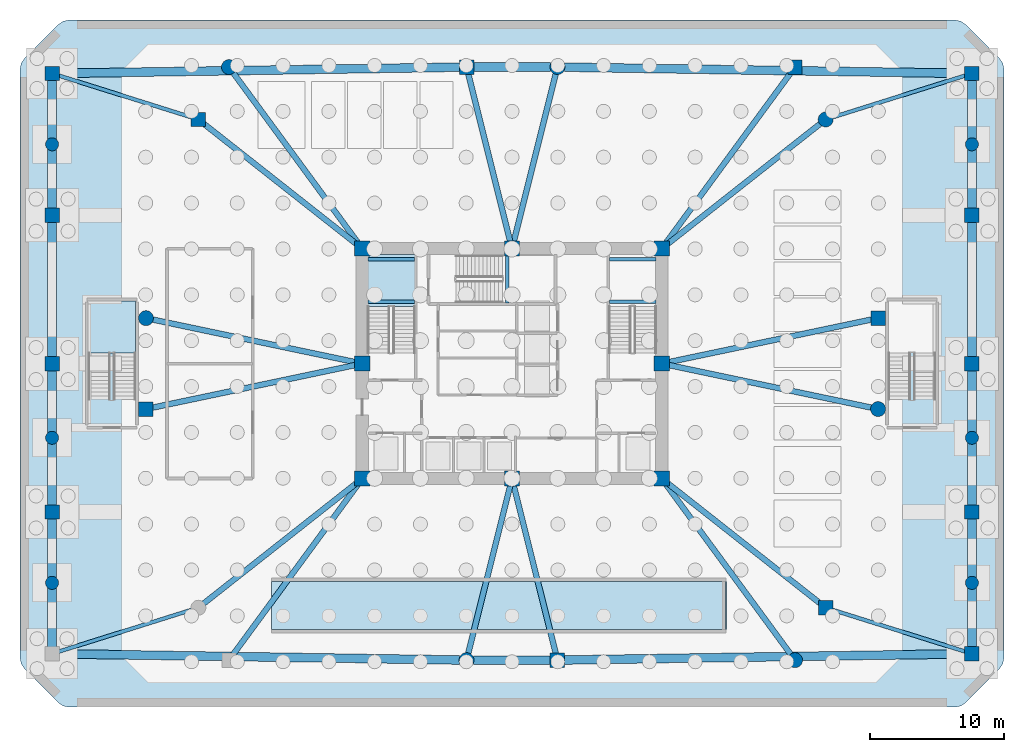
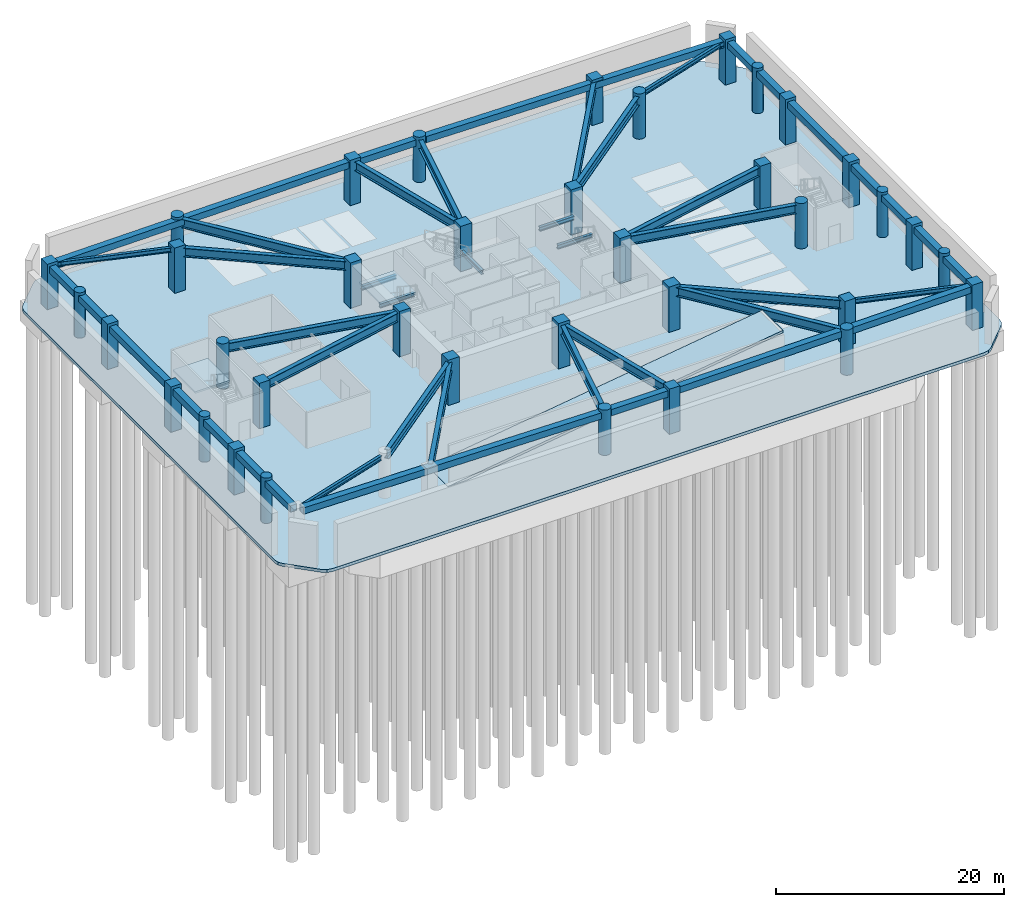
# One storey, part 3 of 11: 39 beams, 37 columns, 4 slabs, 2 elements without a shape of their own.
"""IFC4 building model written with IfcOpenShell, lengths in metres."""

from ifc_helpers import new_model, si_unit, derived_unit, direction, frame, origin, origin_2d, place, context, subcontext, project, spatial, polyline, rectangle, circle, i_section, outline, extrude, material, layer, layer_set, material_profile, profile_set, type_object, element, aggregate, save


model = new_model("IFC4")

# Units and contexts
model_context = context("Model", 3, precision=1e-05, world=origin(), true_north=direction((0.0, 1.0)))
body_context = subcontext(model_context, "Body", "Model", "MODEL_VIEW")
ifc_project = project(units=[si_unit("LENGTHUNIT", "METRE"), si_unit("AREAUNIT", "SQUARE_METRE"), si_unit("VOLUMEUNIT", "CUBIC_METRE"), si_unit("PLANEANGLEUNIT", "RADIAN"), si_unit("MASSUNIT", "GRAM", prefix="KILO"), derived_unit("THERMALTRANSMITTANCEUNIT", [(si_unit("POWERUNIT", "WATT"), 1), (si_unit("LENGTHUNIT", "METRE"), -2), (si_unit("THERMODYNAMICTEMPERATUREUNIT", "KELVIN"), -1)])], contexts=[model_context])

# Site, building, storey
site_placement = place(None, origin())
site = spatial("IfcSite", under=ifc_project, at=site_placement, CompositionType="ELEMENT")
building_placement = place(site_placement, origin())
building = spatial("IfcBuilding", under=site, at=building_placement, Name="Koralith Skygarden Medical Center", CompositionType="ELEMENT")
storey_placement = place(building_placement, frame((0.0, 0.0, -9.719970703125)))
storey = spatial("IfcBuildingStorey", under=building, at=storey_placement, Name="B2", CompositionType="ELEMENT", Elevation=-9.719970703125)

# Columns
ifc_material_1 = material(Name="Concrete C55/67", Category="concrete")
ifc_material_profile_1 = material_profile(ifc_material_1, circle(Radius=0.489990234375, at=origin_2d()), Name="RCCOL980")
ifc_profile_set_1 = profile_set([ifc_material_profile_1], Name="Concrete C55/67")
column_type_1 = type_object("IfcColumnType", Name="Concourse Entrance Pilaster C55 D980", PredefinedType="PILASTER", material=ifc_profile_set_1)
for number, where, z_axis, x_axis, name in (
    (1, (2.60009765625, 9.5, 0.0), (0.0, 0.0, 1.0), (1.0, 0.0, 0.0), "B2 Concourse Entrance Pilaster PL-01"),
    (2, (2.60009765625, 20.35009765625, 0.0), (0.0, 0.0, 1.0), (1.0, 0.0, 0.0), "B2 Concourse Entrance Pilaster PL-02"),
    (3, (2.60009765625, 42.300048828125, 0.0), (0.0, 0.0, 1.0), (1.0, 0.0, 0.0), "B2 Concourse Entrance Pilaster PL-03"),
    (4, (71.39990234375, 9.5, 0.0), (0.0, 0.0, 1.0), (1.0, 0.0, 0.0), "B2 Concourse Entrance Pilaster PL-04"),
    (5, (71.39990234375, 20.35009765625, 0.0), (0.0, 0.0, 1.0), (1.0, 0.0, 0.0), "B2 Concourse Entrance Pilaster PL-05"),
    (6, (71.39990234375, 42.300048828125, 0.0), (0.0, 0.0, 1.0), (1.0, 0.0, 0.0), "B2 Concourse Entrance Pilaster PL-06"),
):
    element("IfcColumn", number, at=place(storey_placement, frame(where, z_axis=z_axis, x_axis=x_axis)), inside=storey, type_object=column_type_1, Name=name, PredefinedType="PILASTER", context=body_context, shape_type="SweptSolid", body=[
        extrude(circle(Radius=0.489990234375, at=origin_2d()), origin(), (0.0, 0.0, 1.0), 4.85986328125),
    ])
ifc_material_2 = material(Name="Concrete C70/85", Category="concrete")
ifc_material_profile_2 = material_profile(ifc_material_2, rectangle(XDim=1.139892578125, YDim=1.139892578125, at=origin_2d()), Name="RC1140X1140")
ifc_profile_set_2 = profile_set([ifc_material_profile_2], Name="Concrete C70/85")
column_type_2 = type_object("IfcColumnType", Name="Core Mega-Column C70 RC1140", PredefinedType="COLUMN", material=ifc_profile_set_2)
for number, where, z_axis, x_axis, name in (
    (7, (25.800048828125, 17.300048828125, 0.0), (0.0, 0.0, 1.0), (1.0, 0.0, 0.0), "B2 Core Column CC-01"),
    (8, (37.0, 17.300048828125, 0.0), (0.0, 0.0, 1.0), (1.0, 0.0, 0.0), "B2 Core Column CC-02"),
    (9, (48.199951171875, 17.300048828125, 0.0), (0.0, 0.0, 1.0), (1.0, 0.0, 0.0), "B2 Core Column CC-03"),
    (10, (48.199951171875, 25.89990234375, 0.0), (0.0, 0.0, 1.0), (1.0, 0.0, 0.0), "B2 Core Column CC-04"),
    (11, (48.199951171875, 34.5, 0.0), (0.0, 0.0, 1.0), (1.0, 0.0, 0.0), "B2 Core Column CC-05"),
    (12, (37.0, 34.5, 0.0), (0.0, 0.0, 1.0), (1.0, 0.0, 0.0), "B2 Core Column CC-06"),
    (13, (25.800048828125, 34.5, 0.0), (0.0, 0.0, 1.0), (1.0, 0.0, 0.0), "B2 Core Column CC-07"),
    (14, (25.800048828125, 25.89990234375, 0.0), (0.0, 0.0, 1.0), (1.0, 0.0, 0.0), "B2 Core Column CC-08"),
):
    element("IfcColumn", number, at=place(storey_placement, frame(where, z_axis=z_axis, x_axis=x_axis)), inside=storey, type_object=column_type_2, Name=name, PredefinedType="COLUMN", context=body_context, shape_type="SweptSolid", body=[
        extrude(rectangle(XDim=1.139892578125, YDim=1.139892578125, at=origin_2d()), origin(), (0.0, 0.0, 1.0), 4.85986328125),
    ])
ifc_material_profile_3 = material_profile(ifc_material_2, rectangle(XDim=1.080078125, YDim=1.080078125, at=origin_2d()), Name="RC1080X1080")
ifc_profile_set_3 = profile_set([ifc_material_profile_3], Name="Concrete C70/85")
column_type_3 = type_object("IfcColumnType", Name="Podium Perimeter Column C70 RC1080", PredefinedType="COLUMN", material=ifc_profile_set_3)
for number, where, z_axis, x_axis, name in (
    (15, (2.60009765625, 14.800048828125, 0.0), (0.0, 0.0, 1.0), (1.0, 0.0, 0.0), "B2 Podium Perimeter Column PC-02"),
    (16, (2.60009765625, 25.89990234375, 0.0), (0.0, 0.0, 1.0), (1.0, 0.0, 0.0), "B2 Podium Perimeter Column PC-03"),
    (17, (2.60009765625, 37.0, 0.0), (0.0, 0.0, 1.0), (1.0, 0.0, 0.0), "B2 Podium Perimeter Column PC-04"),
    (18, (2.60009765625, 47.60009765625, 0.0), (0.0, 0.0, 1.0), (1.0, 0.0, 0.0), "B2 Podium Perimeter Column PC-05"),
    (19, (71.39990234375, 4.199951171875, 0.0), (0.0, 0.0, 1.0), (1.0, 0.0, 0.0), "B2 Podium Perimeter Column PC-06"),
    (20, (71.39990234375, 14.800048828125, 0.0), (0.0, 0.0, 1.0), (1.0, 0.0, 0.0), "B2 Podium Perimeter Column PC-07"),
    (21, (71.39990234375, 25.89990234375, 0.0), (0.0, 0.0, 1.0), (1.0, 0.0, 0.0), "B2 Podium Perimeter Column PC-08"),
    (22, (71.39990234375, 37.0, 0.0), (0.0, 0.0, 1.0), (1.0, 0.0, 0.0), "B2 Podium Perimeter Column PC-09"),
    (23, (71.39990234375, 47.60009765625, 0.0), (0.0, 0.0, 1.0), (1.0, 0.0, 0.0), "B2 Podium Perimeter Column PC-10"),
):
    element("IfcColumn", number, at=place(storey_placement, frame(where, z_axis=z_axis, x_axis=x_axis)), inside=storey, type_object=column_type_3, Name=name, PredefinedType="COLUMN", context=body_context, shape_type="SweptSolid", body=[
        extrude(rectangle(XDim=1.080078125, YDim=1.080078125, at=origin_2d()), origin(), (0.0, 0.0, 1.0), 4.85986328125),
    ])
ifc_material_profile_4 = material_profile(ifc_material_2, circle(Radius=0.56005859375, at=origin_2d()), Name="RCCOL1120")
ifc_profile_set_4 = profile_set([ifc_material_profile_4], Name="Concrete C70/85")
column_type_4 = type_object("IfcColumnType", Name="Station Round Mega-Column C70 D1120", PredefinedType="COLUMN", material=ifc_profile_set_4)
for number, where, z_axis, x_axis, name in (
    (24, (33.60009765625, 3.719970703125, 0.0), (0.0, 0.0, 1.0), (1.0, 0.0, 0.0), "B2 Tower Base Mega-Column TB-04"),
    (25, (58.16796875, 3.719970703125, 0.0), (0.0, 0.0, 1.0), (1.0, 0.0, 0.0), "B2 Tower Base Mega-Column TB-06"),
    (26, (64.3798828125, 22.5, 0.0), (0.0, 0.0, 1.0), (1.0, 0.0, 0.0), "B2 Tower Base Mega-Column TB-08"),
    (27, (60.4599609375, 44.159912109375, 0.0), (0.0, 0.0, 1.0), (1.0, 0.0, 0.0), "B2 Tower Base Mega-Column TB-10"),
    (28, (40.39990234375, 48.080078125, 0.0), (0.0, 0.0, 1.0), (1.0, 0.0, 0.0), "B2 Tower Base Mega-Column TB-12"),
    (29, (15.83203125, 48.080078125, 0.0), (0.0, 0.0, 1.0), (1.0, 0.0, 0.0), "B2 Tower Base Mega-Column TB-14"),
    (30, (9.6201171875, 29.300048828125, 0.0), (0.0, 0.0, 1.0), (1.0, 0.0, 0.0), "B2 Tower Base Mega-Column TB-16"),
):
    element("IfcColumn", number, at=place(storey_placement, frame(where, z_axis=z_axis, x_axis=x_axis)), inside=storey, type_object=column_type_4, Name=name, PredefinedType="COLUMN", context=body_context, shape_type="SweptSolid", body=[
        extrude(circle(Radius=0.56005859375, at=origin_2d()), origin(), (0.0, 0.0, 1.0), 4.85986328125),
    ])
ifc_material_profile_5 = material_profile(ifc_material_2, rectangle(XDim=1.080078125, YDim=1.080078125, at=origin_2d()), Name="RC1080X1080")
ifc_profile_set_5 = profile_set([ifc_material_profile_5], Name="Concrete C70/85")
column_type_5 = type_object("IfcColumnType", Name="Zone 1 Octagonal Mega-Column C70 RC1080", PredefinedType="COLUMN", material=ifc_profile_set_5)
for number, where, z_axis, x_axis, name in (
    (31, (9.6201171875, 22.5, 0.0), (0.0, 0.0, 1.0), (1.0, 0.0, 0.0), "B2 Tower Base Mega-Column TB-01"),
    (32, (40.39990234375, 3.719970703125, 0.0), (0.0, 0.0, 1.0), (1.0, 0.0, 0.0), "B2 Tower Base Mega-Column TB-05"),
    (33, (60.4599609375, 7.639892578125, 0.0), (0.0, 0.0, 1.0), (1.0, 0.0, 0.0), "B2 Tower Base Mega-Column TB-07"),
    (34, (64.3798828125, 29.300048828125, 0.0), (0.0, 0.0, 1.0), (1.0, 0.0, 0.0), "B2 Tower Base Mega-Column TB-09"),
    (35, (58.16796875, 48.080078125, 0.0), (0.0, 0.0, 1.0), (1.0, 0.0, 0.0), "B2 Tower Base Mega-Column TB-11"),
    (36, (33.60009765625, 48.080078125, 0.0), (0.0, 0.0, 1.0), (1.0, 0.0, 0.0), "B2 Tower Base Mega-Column TB-13"),
    (37, (13.5400390625, 44.159912109375, 0.0), (0.0, 0.0, 1.0), (1.0, 0.0, 0.0), "B2 Tower Base Mega-Column TB-15"),
):
    element("IfcColumn", number, at=place(storey_placement, frame(where, z_axis=z_axis, x_axis=x_axis)), inside=storey, type_object=column_type_5, Name=name, PredefinedType="COLUMN", context=body_context, shape_type="SweptSolid", body=[
        extrude(rectangle(XDim=1.080078125, YDim=1.080078125, at=origin_2d()), origin(), (0.0, 0.0, 1.0), 4.85986328125),
    ])

# Beams
ifc_material_profile_6 = material_profile(ifc_material_1, rectangle(XDim=0.64990234375, YDim=0.679931640625, at=origin_2d()), Name="RCB650X680")
ifc_profile_set_6 = profile_set([ifc_material_profile_6], Name="Concrete C55/67")
beam_type_1 = type_object("IfcBeamType", Name="Basement Spandrel Beam RCB650X680", PredefinedType="SPANDREL", material=ifc_profile_set_6)
beam_1_placement = place(storey_placement, frame((2.60009765625, 14.280029296875, 4.219970703125), z_axis=(0.0, -1.0, 0.0), x_axis=(1.0, 0.0, 0.0)))
element("IfcBeam", 38, at=beam_1_placement, inside=storey, type_object=beam_type_1, Name="B2 Podium Perimeter Beam PB-01", PredefinedType="SPANDREL", context=body_context, shape_type="SweptSolid", body=[
    extrude(rectangle(XDim=0.64990234375, YDim=0.679931640625, at=origin_2d()), origin(), (0.0, 0.0, 1.0), 9.56005859375),
])
beam_2_placement = place(storey_placement, frame((3.1201171875, 4.19189453125, 4.219970703125), z_axis=(0.999880161393, -0.015481048165, 0.0), x_axis=(0.015481048165, 0.999880161393, 0.0)))
element("IfcBeam", 39, at=beam_2_placement, inside=storey, type_object=beam_type_1, Name="B2 Podium Perimeter Beam PB-02", PredefinedType="SPANDREL", context=body_context, shape_type="SweptSolid", body=[
    extrude(rectangle(XDim=0.64990234375, YDim=0.679931640625, at=origin_2d()), origin(), (0.0, 0.0, 1.0), 29.963623046875),
])
beam_3_placement = place(storey_placement, frame((34.1201171875, 3.719970703125, 4.219970703125), z_axis=(1.0, 0.0, 0.0), x_axis=(0.0, 1.0, 0.0)))
element("IfcBeam", 40, at=beam_3_placement, inside=storey, type_object=beam_type_1, Name="B2 Podium Perimeter Beam PB-03", PredefinedType="SPANDREL", context=body_context, shape_type="SweptSolid", body=[
    extrude(rectangle(XDim=0.64990234375, YDim=0.679931640625, at=origin_2d()), origin(), (0.0, 0.0, 1.0), 5.759765625),
])
beam_4_placement = place(storey_placement, frame((40.919921875, 3.72802734375, 4.219970703125), z_axis=(0.999880161393, 0.015481048165, 0.0), x_axis=(-0.015481048165, 0.999880161393, 0.0)))
element("IfcBeam", 41, at=beam_4_placement, inside=storey, type_object=beam_type_1, Name="B2 Podium Perimeter Beam PB-04", PredefinedType="SPANDREL", context=body_context, shape_type="SweptSolid", body=[
    extrude(rectangle(XDim=0.64990234375, YDim=0.679931640625, at=origin_2d()), origin(), (0.0, 0.0, 1.0), 29.963623046875),
])
beam_5_placement = place(storey_placement, frame((71.39990234375, 4.719970703125, 4.219970703125), z_axis=(0.0, 1.0, 0.0), x_axis=(-1.0, 0.0, 0.0)))
element("IfcBeam", 42, at=beam_5_placement, inside=storey, type_object=beam_type_1, Name="B2 Podium Perimeter Beam PB-05", PredefinedType="SPANDREL", context=body_context, shape_type="SweptSolid", body=[
    extrude(rectangle(XDim=0.64990234375, YDim=0.679931640625, at=origin_2d()), origin(), (0.0, 0.0, 1.0), 9.56005859375),
])
beam_6_placement = place(storey_placement, frame((71.39990234375, 15.320068359375, 4.219970703125), z_axis=(0.0, 1.0, 0.0), x_axis=(-1.0, 0.0, 0.0)))
element("IfcBeam", 43, at=beam_6_placement, inside=storey, type_object=beam_type_1, Name="B2 Podium Perimeter Beam PB-06", PredefinedType="SPANDREL", context=body_context, shape_type="SweptSolid", body=[
    extrude(rectangle(XDim=0.64990234375, YDim=0.679931640625, at=origin_2d()), origin(), (0.0, 0.0, 1.0), 10.059814453125),
])
beam_7_placement = place(storey_placement, frame((71.39990234375, 26.419921875, 4.219970703125), z_axis=(0.0, 1.0, 0.0), x_axis=(-1.0, 0.0, 0.0)))
element("IfcBeam", 44, at=beam_7_placement, inside=storey, type_object=beam_type_1, Name="B2 Podium Perimeter Beam PB-07", PredefinedType="SPANDREL", context=body_context, shape_type="SweptSolid", body=[
    extrude(rectangle(XDim=0.64990234375, YDim=0.679931640625, at=origin_2d()), origin(), (0.0, 0.0, 1.0), 10.06005859375),
])
beam_8_placement = place(storey_placement, frame((71.39990234375, 37.52001953125, 4.219970703125), z_axis=(0.0, 1.0, 0.0), x_axis=(-1.0, 0.0, 0.0)))
element("IfcBeam", 45, at=beam_8_placement, inside=storey, type_object=beam_type_1, Name="B2 Podium Perimeter Beam PB-08", PredefinedType="SPANDREL", context=body_context, shape_type="SweptSolid", body=[
    extrude(rectangle(XDim=0.64990234375, YDim=0.679931640625, at=origin_2d()), origin(), (0.0, 0.0, 1.0), 9.56005859375),
])
beam_9_placement = place(storey_placement, frame((70.8798828125, 47.60791015625, 4.219970703125), z_axis=(-0.999880035237, 0.015489194131, 0.0), x_axis=(-0.015489194131, -0.999880035237, 0.0)))
element("IfcBeam", 46, at=beam_9_placement, inside=storey, type_object=beam_type_1, Name="B2 Podium Perimeter Beam PB-09", PredefinedType="SPANDREL", context=body_context, shape_type="SweptSolid", body=[
    extrude(rectangle(XDim=0.64990234375, YDim=0.679931640625, at=origin_2d()), origin(), (0.0, 0.0, 1.0), 29.963623046875),
])
beam_10_placement = place(storey_placement, frame((39.8798828125, 48.080078125, 4.219970703125), z_axis=(-1.0, 0.0, 0.0), x_axis=(0.0, -1.0, 0.0)))
element("IfcBeam", 47, at=beam_10_placement, inside=storey, type_object=beam_type_1, Name="B2 Podium Perimeter Beam PB-10", PredefinedType="SPANDREL", context=body_context, shape_type="SweptSolid", body=[
    extrude(rectangle(XDim=0.64990234375, YDim=0.679931640625, at=origin_2d()), origin(), (0.0, 0.0, 1.0), 5.759765625),
])
beam_11_placement = place(storey_placement, frame((33.080078125, 48.072021484375, 4.219970703125), z_axis=(-0.999880035237, -0.015489194131, 0.0), x_axis=(0.015489194131, -0.999880035237, 0.0)))
element("IfcBeam", 48, at=beam_11_placement, inside=storey, type_object=beam_type_1, Name="B2 Podium Perimeter Beam PB-11", PredefinedType="SPANDREL", context=body_context, shape_type="SweptSolid", body=[
    extrude(rectangle(XDim=0.64990234375, YDim=0.679931640625, at=origin_2d()), origin(), (0.0, 0.0, 1.0), 29.963623046875),
])
beam_12_placement = place(storey_placement, frame((2.60009765625, 47.080078125, 4.219970703125), z_axis=(0.0, -1.0, 0.0), x_axis=(1.0, 0.0, 0.0)))
element("IfcBeam", 49, at=beam_12_placement, inside=storey, type_object=beam_type_1, Name="B2 Podium Perimeter Beam PB-12", PredefinedType="SPANDREL", context=body_context, shape_type="SweptSolid", body=[
    extrude(rectangle(XDim=0.64990234375, YDim=0.679931640625, at=origin_2d()), origin(), (0.0, 0.0, 1.0), 9.56005859375),
])
beam_13_placement = place(storey_placement, frame((2.60009765625, 36.47998046875, 4.219970703125), z_axis=(0.0, -1.0, 0.0), x_axis=(1.0, 0.0, 0.0)))
element("IfcBeam", 50, at=beam_13_placement, inside=storey, type_object=beam_type_1, Name="B2 Podium Perimeter Beam PB-13", PredefinedType="SPANDREL", context=body_context, shape_type="SweptSolid", body=[
    extrude(rectangle(XDim=0.64990234375, YDim=0.679931640625, at=origin_2d()), origin(), (0.0, 0.0, 1.0), 10.06005859375),
])
beam_14_placement = place(storey_placement, frame((2.60009765625, 25.3798828125, 4.219970703125), z_axis=(0.0, -1.0, 0.0), x_axis=(1.0, 0.0, 0.0)))
element("IfcBeam", 51, at=beam_14_placement, inside=storey, type_object=beam_type_1, Name="B2 Podium Perimeter Beam PB-14", PredefinedType="SPANDREL", context=body_context, shape_type="SweptSolid", body=[
    extrude(rectangle(XDim=0.64990234375, YDim=0.679931640625, at=origin_2d()), origin(), (0.0, 0.0, 1.0), 10.059814453125),
])
ifc_material_3 = material(Name="Steel ASTM A992 Grade 50", Category="steel")
ifc_material_profile_7 = material_profile(ifc_material_3, i_section(OverallWidth=0.260009765625, OverallDepth=0.4150390625, WebThickness=0.010009765625, FlangeThickness=0.016845703125, at=origin_2d()), Name="W16X67")
ifc_profile_set_7 = profile_set([ifc_material_profile_7], Name="Steel ASTM A992 Grade 50")
beam_type_2 = type_object("IfcBeamType", Name="Clinical Floor Joist W16X67", PredefinedType="JOIST", material=ifc_profile_set_7)
for number, where, z_axis, x_axis, name in (
    (52, (26.22998046875, 30.530029296875, 2.02294921875), (1.0, 0.0, 0.0), (0.0, 1.0, 0.0), "B2 Stair ST1 Half-Landing Support Beam 1A"),
    (53, (26.22998046875, 33.699951171875, 2.02294921875), (1.0, 0.0, 0.0), (0.0, 1.0, 0.0), "B2 Stair ST1 Half-Landing Support Beam 1B"),
    (54, (44.280029296875, 30.530029296875, 2.02294921875), (1.0, 0.0, 0.0), (0.0, 1.0, 0.0), "B2 Stair ST2 Half-Landing Support Beam 1A"),
    (55, (44.280029296875, 33.699951171875, 2.02294921875), (1.0, 0.0, 0.0), (0.0, 1.0, 0.0), "B2 Stair ST2 Half-Landing Support Beam 1B"),
):
    element("IfcBeam", number, at=place(storey_placement, frame(where, z_axis=z_axis, x_axis=x_axis)), inside=storey, type_object=beam_type_2, Name=name, PredefinedType="JOIST", context=body_context, shape_type="SweptSolid", body=[
        extrude(i_section(OverallWidth=0.260009765625, OverallDepth=0.4150390625, WebThickness=0.010009765625, FlangeThickness=0.016845703125, at=origin_2d()), origin(), (0.0, 0.0, 1.0), 3.489990234375),
    ])
beam_15_placement = place(storey_placement, frame((36.6298828125, 30.43994140625, 2.02294921875), z_axis=(0.0, 1.0, 0.0), x_axis=(-1.0, 0.0, 0.0)))
element("IfcBeam", 56, at=beam_15_placement, inside=storey, type_object=beam_type_2, Name="B2 Stair ST3 Half-Landing Support Beam 1A", PredefinedType="JOIST", context=body_context, shape_type="SweptSolid", body=[
    extrude(i_section(OverallWidth=0.260009765625, OverallDepth=0.4150390625, WebThickness=0.010009765625, FlangeThickness=0.016845703125, at=origin_2d()), origin(), (0.0, 0.0, 1.0), 3.630126953125),
])
ifc_material_profile_8 = material_profile(ifc_material_3, i_section(OverallWidth=0.423095703125, OverallDepth=0.947998046875, WebThickness=0.02392578125, FlangeThickness=0.042724609375, at=origin_2d()), Name="W36X302")
ifc_profile_set_8 = profile_set([ifc_material_profile_8], Name="Steel ASTM A992 Grade 50")
beam_type_3 = type_object("IfcBeamType", Name="Podium Concourse Girder W36X302", PredefinedType="BEAM", material=ifc_profile_set_8)
beam_16_placement = place(storey_placement, frame((25.251953125, 25.784912109375, 4.0859375), z_axis=(-0.978625652149, -0.205649782288, 0.0), x_axis=(0.205649782288, -0.978625652149, 0.0)))
element("IfcBeam", 57, at=beam_16_placement, inside=storey, type_object=beam_type_3, Name="B2 Podium Radial Girder PRG-01", PredefinedType="BEAM", context=body_context, shape_type="SweptSolid", body=[
    extrude(i_section(OverallWidth=0.423095703125, OverallDepth=0.947998046875, WebThickness=0.02392578125, FlangeThickness=0.042724609375, at=origin_2d()), origin(), (0.0, 0.0, 1.0), 15.453369140625),
])
beam_17_placement = place(storey_placement, frame((25.360107421875, 16.952880859375, 4.0859375), z_axis=(-0.785504791859, -0.618855574401, 0.0), x_axis=(0.618855574401, -0.785504791859, 0.0)))
element("IfcBeam", 58, at=beam_17_placement, inside=storey, type_object=beam_type_3, Name="B2 Podium Radial Girder PRG-02", PredefinedType="BEAM", context=body_context, shape_type="SweptSolid", body=[
    extrude(i_section(OverallWidth=0.423095703125, OverallDepth=0.947998046875, WebThickness=0.02392578125, FlangeThickness=0.042724609375, at=origin_2d()), origin(), (0.0, 0.0, 1.0), 14.5283203125),
])
beam_18_placement = place(storey_placement, frame((25.468994140625, 16.84912109375, 4.0859375), z_axis=(-0.59170530555, -0.806154347122, 0.0), x_axis=(0.806154347122, -0.59170530555, 0.0)))
element("IfcBeam", 59, at=beam_18_placement, inside=storey, type_object=beam_type_3, Name="B2 Podium Radial Girder PRG-03", PredefinedType="BEAM", context=body_context, shape_type="SweptSolid", body=[
    extrude(i_section(OverallWidth=0.423095703125, OverallDepth=0.947998046875, WebThickness=0.02392578125, FlangeThickness=0.042724609375, at=origin_2d()), origin(), (0.0, 0.0, 1.0), 15.766357421875),
])
for number, where, z_axis, x_axis, name in (
    (60, (36.864013671875, 16.757080078125, 4.0859375), (-0.242877971824, -0.970056849263, 0.0), (0.970056849263, -0.242877971824, 0.0), "B2 Podium Radial Girder PRG-04"),
    (61, (37.135986328125, 16.757080078125, 4.0859375), (0.242877971824, -0.970056849263, 0.0), (0.970056849263, 0.242877971824, 0.0), "B2 Podium Radial Girder PRG-05"),
):
    element("IfcBeam", number, at=place(storey_placement, frame(where, z_axis=z_axis, x_axis=x_axis)), inside=storey, type_object=beam_type_3, Name=name, PredefinedType="BEAM", context=body_context, shape_type="SweptSolid", body=[
        extrude(i_section(OverallWidth=0.423095703125, OverallDepth=0.947998046875, WebThickness=0.02392578125, FlangeThickness=0.042724609375, at=origin_2d()), origin(), (0.0, 0.0, 1.0), 12.919921875),
    ])
beam_19_placement = place(storey_placement, frame((48.531005859375, 16.84912109375, 4.0859375), z_axis=(0.59170530555, -0.806154347122, 0.0), x_axis=(0.806154347122, 0.59170530555, 0.0)))
element("IfcBeam", 62, at=beam_19_placement, inside=storey, type_object=beam_type_3, Name="B2 Podium Radial Girder PRG-06", PredefinedType="BEAM", context=body_context, shape_type="SweptSolid", body=[
    extrude(i_section(OverallWidth=0.423095703125, OverallDepth=0.947998046875, WebThickness=0.02392578125, FlangeThickness=0.042724609375, at=origin_2d()), origin(), (0.0, 0.0, 1.0), 15.766357421875),
])
beam_20_placement = place(storey_placement, frame((48.639892578125, 16.952880859375, 4.0859375), z_axis=(0.785504791859, -0.618855574401, 0.0), x_axis=(0.618855574401, 0.785504791859, 0.0)))
element("IfcBeam", 63, at=beam_20_placement, inside=storey, type_object=beam_type_3, Name="B2 Podium Radial Girder PRG-07", PredefinedType="BEAM", context=body_context, shape_type="SweptSolid", body=[
    extrude(i_section(OverallWidth=0.423095703125, OverallDepth=0.947998046875, WebThickness=0.02392578125, FlangeThickness=0.042724609375, at=origin_2d()), origin(), (0.0, 0.0, 1.0), 14.5283203125),
])
for number, where, z_axis, x_axis, name in (
    (64, (48.748046875, 25.784912109375, 4.0859375), (0.978625652149, -0.205649782288, 0.0), (0.205649782288, 0.978625652149, 0.0), "B2 Podium Radial Girder PRG-08"),
    (65, (48.748046875, 26.014892578125, 4.0859375), (0.978622472518, 0.205664912619, 0.0), (-0.205664912619, 0.978622472518, 0.0), "B2 Podium Radial Girder PRG-09"),
):
    element("IfcBeam", number, at=place(storey_placement, frame(where, z_axis=z_axis, x_axis=x_axis)), inside=storey, type_object=beam_type_3, Name=name, PredefinedType="BEAM", context=body_context, shape_type="SweptSolid", body=[
        extrude(i_section(OverallWidth=0.423095703125, OverallDepth=0.947998046875, WebThickness=0.02392578125, FlangeThickness=0.042724609375, at=origin_2d()), origin(), (0.0, 0.0, 1.0), 15.453369140625),
    ])
beam_21_placement = place(storey_placement, frame((48.639892578125, 34.846923828125, 4.0859375), z_axis=(0.785504791859, 0.618855574401, 0.0), x_axis=(-0.618855574401, 0.785504791859, 0.0)))
element("IfcBeam", 66, at=beam_21_placement, inside=storey, type_object=beam_type_3, Name="B2 Podium Radial Girder PRG-10", PredefinedType="BEAM", context=body_context, shape_type="SweptSolid", body=[
    extrude(i_section(OverallWidth=0.423095703125, OverallDepth=0.947998046875, WebThickness=0.02392578125, FlangeThickness=0.042724609375, at=origin_2d()), origin(), (0.0, 0.0, 1.0), 14.5283203125),
])
beam_22_placement = place(storey_placement, frame((48.531005859375, 34.950927734375, 4.0859375), z_axis=(0.591712691958, 0.806148925556, 0.0), x_axis=(-0.806148925556, 0.591712691958, 0.0)))
element("IfcBeam", 67, at=beam_22_placement, inside=storey, type_object=beam_type_3, Name="B2 Podium Radial Girder PRG-11", PredefinedType="BEAM", context=body_context, shape_type="SweptSolid", body=[
    extrude(i_section(OverallWidth=0.423095703125, OverallDepth=0.947998046875, WebThickness=0.02392578125, FlangeThickness=0.042724609375, at=origin_2d()), origin(), (0.0, 0.0, 1.0), 15.766357421875),
])
for number, where, z_axis, x_axis, name in (
    (68, (37.135986328125, 35.04296875, 4.0859375), (0.242877971824, 0.970056849263, 0.0), (-0.970056849263, 0.242877971824, 0.0), "B2 Podium Radial Girder PRG-12"),
    (69, (36.864013671875, 35.04296875, 4.0859375), (-0.242877971824, 0.970056849263, 0.0), (-0.970056849263, -0.242877971824, 0.0), "B2 Podium Radial Girder PRG-13"),
):
    element("IfcBeam", number, at=place(storey_placement, frame(where, z_axis=z_axis, x_axis=x_axis)), inside=storey, type_object=beam_type_3, Name=name, PredefinedType="BEAM", context=body_context, shape_type="SweptSolid", body=[
        extrude(i_section(OverallWidth=0.423095703125, OverallDepth=0.947998046875, WebThickness=0.02392578125, FlangeThickness=0.042724609375, at=origin_2d()), origin(), (0.0, 0.0, 1.0), 12.919921875),
    ])
beam_23_placement = place(storey_placement, frame((25.468994140625, 34.950927734375, 4.0859375), z_axis=(-0.591712691958, 0.806148925556, 0.0), x_axis=(-0.806148925556, -0.591712691958, 0.0)))
element("IfcBeam", 70, at=beam_23_placement, inside=storey, type_object=beam_type_3, Name="B2 Podium Radial Girder PRG-14", PredefinedType="BEAM", context=body_context, shape_type="SweptSolid", body=[
    extrude(i_section(OverallWidth=0.423095703125, OverallDepth=0.947998046875, WebThickness=0.02392578125, FlangeThickness=0.042724609375, at=origin_2d()), origin(), (0.0, 0.0, 1.0), 15.766357421875),
])
beam_24_placement = place(storey_placement, frame((25.360107421875, 34.846923828125, 4.0859375), z_axis=(-0.785504791859, 0.618855574401, 0.0), x_axis=(-0.618855574401, -0.785504791859, 0.0)))
element("IfcBeam", 71, at=beam_24_placement, inside=storey, type_object=beam_type_3, Name="B2 Podium Radial Girder PRG-15", PredefinedType="BEAM", context=body_context, shape_type="SweptSolid", body=[
    extrude(i_section(OverallWidth=0.423095703125, OverallDepth=0.947998046875, WebThickness=0.02392578125, FlangeThickness=0.042724609375, at=origin_2d()), origin(), (0.0, 0.0, 1.0), 14.5283203125),
])
beam_25_placement = place(storey_placement, frame((25.251953125, 26.014892578125, 4.0859375), z_axis=(-0.978622472518, 0.205664912619, 0.0), x_axis=(-0.205664912619, -0.978622472518, 0.0)))
element("IfcBeam", 72, at=beam_25_placement, inside=storey, type_object=beam_type_3, Name="B2 Podium Radial Girder PRG-16", PredefinedType="BEAM", context=body_context, shape_type="SweptSolid", body=[
    extrude(i_section(OverallWidth=0.423095703125, OverallDepth=0.947998046875, WebThickness=0.02392578125, FlangeThickness=0.042724609375, at=origin_2d()), origin(), (0.0, 0.0, 1.0), 15.453369140625),
])
ifc_material_profile_9 = material_profile(ifc_material_3, i_section(OverallWidth=0.281982421875, OverallDepth=0.467041015625, WebThickness=0.01220703125, FlangeThickness=0.01953125, at=origin_2d()), Name="W18X86")
ifc_profile_set_9 = profile_set([ifc_material_profile_9], Name="Steel ASTM A992 Grade 50")
beam_type_4 = type_object("IfcBeamType", Name="Podium Floor Joist W18X86", PredefinedType="JOIST", material=ifc_profile_set_9)
for number, where, z_axis, x_axis, name in (
    (73, (13.0439453125, 7.48388671875, 4.325927734375), (-0.953954869198, -0.299950175084, 0.0), (0.299950175084, -0.953954869198, 0.0), "B2 Podium Floor Joist PJ-01"),
    (74, (13.0439453125, 44.31591796875, 4.325927734375), (-0.95394817002, 0.29997148017, 0.0), (-0.29997148017, -0.95394817002, 0.0), "B2 Podium Floor Joist PJ-02"),
    (75, (60.9560546875, 7.48388671875, 4.325927734375), (0.953954869198, -0.299950175084, 0.0), (0.299950175084, 0.953954869198, 0.0), "B2 Podium Floor Joist PJ-03"),
    (76, (60.9560546875, 44.31591796875, 4.325927734375), (0.95394817002, 0.29997148017, 0.0), (-0.29997148017, 0.95394817002, 0.0), "B2 Podium Floor Joist PJ-04"),
):
    element("IfcBeam", number, at=place(storey_placement, frame(where, z_axis=z_axis, x_axis=x_axis)), inside=storey, type_object=beam_type_4, Name=name, PredefinedType="JOIST", context=body_context, shape_type="SweptSolid", body=[
        extrude(i_section(OverallWidth=0.281982421875, OverallDepth=0.467041015625, WebThickness=0.01220703125, FlangeThickness=0.01953125, at=origin_2d()), origin(), (0.0, 0.0, 1.0), 10.42822265625),
    ])

# Slabs
ifc_material_4 = material(Name="Concrete C45/55", Category="concrete")
ifc_layer_1 = layer(ifc_material_4, 0.320068359375)
ifc_layer_set_1 = layer_set([ifc_layer_1], Name="Concrete C45/55")
slab_type_1 = type_object("IfcSlabType", Name="Basement Base Slab 320", PredefinedType="BASESLAB", material=ifc_layer_set_1)
slab_1_placement = place(storey_placement, frame((0.0, 0.0, -0.320068359375)))
element("IfcSlab", 77, at=slab_1_placement, inside=storey, type_object=slab_type_1, Name="Level B2 Structural Floor Slab", PredefinedType="BASESLAB", context=body_context, shape_type="SweptSolid", body=[
    extrude(outline(polyline([(3.049072265625, 0.551025390625), (3.43798828125, 0.291015625), (3.89697265625, 0.199951171875), (70.10302734375, 0.199951171875), (70.56201171875, 0.291015625), (70.950927734375, 0.551025390625), (73.448974609375, 3.049072265625), (73.708984375, 3.43798828125), (73.800048828125, 3.89697265625), (73.800048828125, 47.903076171875), (73.708984375, 48.362060546875), (73.448974609375, 48.7509765625), (70.950927734375, 51.2490234375), (70.56201171875, 51.509033203125), (70.10302734375, 51.60009765625), (3.89697265625, 51.60009765625), (3.43798828125, 51.509033203125), (3.049072265625, 51.2490234375), (0.551025390625, 48.7509765625), (0.291015625, 48.362060546875), (0.199951171875, 47.903076171875), (0.199951171875, 3.89697265625), (0.291015625, 3.43798828125), (0.551025390625, 3.049072265625), (3.049072265625, 0.551025390625)])), origin(), (0.0, 0.0, 1.0), 0.320068359375),
])
ifc_layer_2 = layer(ifc_material_4, 0.260009765625)
ifc_layer_set_2 = layer_set([ifc_layer_2], Name="Concrete C45/55")
slab_type_2 = type_object("IfcSlabType", Name="Car Park Structural Vehicle Ramp Slab 260", PredefinedType="FLOOR", material=ifc_layer_set_2)
slab_2_placement = place(storey_placement, frame((19.0, 6.0, 0.0), z_axis=(-0.141498979075, 0.0, 0.989938401579), x_axis=(0.989938401579, 0.0, 0.141498979075)))
element("IfcSlab", 78, at=slab_2_placement, inside=storey, type_object=slab_type_2, Name="Car Park Vehicle Ramp R1 Structural Slab", PredefinedType="FLOOR", context=body_context, shape_type="SweptSolid", body=[
    extrude(outline(polyline([(0.0, 0.0), (34.34557134642605, 0.0), (34.34557134642605, 3.600097656250001), (0.0, 3.600097656250001), (0.0, 0.0)])), origin(), (0.0, 0.0, -1.0), 0.260009765625),
])

# Stair, slab
stair_type = type_object("IfcStairType", Name="Core Exit Dogleg Concrete Stair", PredefinedType="HALF_TURN_STAIR", material=ifc_material_4)
stair_1_placement = place(storey_placement, origin())
stair_1 = element("IfcStair", 79, at=stair_1_placement, inside=storey, type_object=stair_type, Name="B2 Smokeproof Exit Stair ST1", PredefinedType="HALF_TURN_STAIR")
ifc_layer_3 = layer(ifc_material_4, 0.199951171875)
ifc_layer_set_3 = layer_set([ifc_layer_3], Name="Concrete C45/55")
slab_type_3 = type_object("IfcSlabType", Name="Core Exit Concrete Stair Landing 200", PredefinedType="LANDING", material=ifc_layer_set_3)
slab_3_placement = place(storey_placement, frame((0.0, 0.0, 2.22998046875)))
slab_3 = element("IfcSlab", 80, at=slab_3_placement, type_object=slab_type_3, Name="ST1 landing 1", PredefinedType="LANDING", context=body_context, shape_type="SweptSolid", body=[
    extrude(outline(polyline([(29.75, 30.179931640625), (29.75, 34.050048828125), (26.199951171875, 34.050048828125), (26.199951171875, 30.179931640625), (29.75, 30.179931640625)])), origin(), (0.0, 0.0, 1.0), 0.199951171875),
])
aggregate(stair_1, [slab_3])

stair_2_placement = place(storey_placement, origin())
stair_2 = element("IfcStair", 81, at=stair_2_placement, inside=storey, type_object=stair_type, Name="B2 Podium Smokeproof Exit Stair ST4", PredefinedType="HALF_TURN_STAIR")
slab_4_placement = place(storey_placement, frame((0.0, 0.0, 2.22998046875)))
slab_4 = element("IfcSlab", 82, at=slab_4_placement, type_object=slab_type_3, Name="ST4 landing 1", PredefinedType="LANDING", context=body_context, shape_type="SweptSolid", body=[
    extrude(outline(polyline([(8.85009765625, 26.679931640625), (8.85009765625, 30.60009765625), (5.300048828125, 30.60009765625), (5.300048828125, 26.679931640625), (8.85009765625, 26.679931640625)])), origin(), (0.0, 0.0, 1.0), 0.199951171875),
])
aggregate(stair_2, [slab_4])

save(model, "model.ifc")
